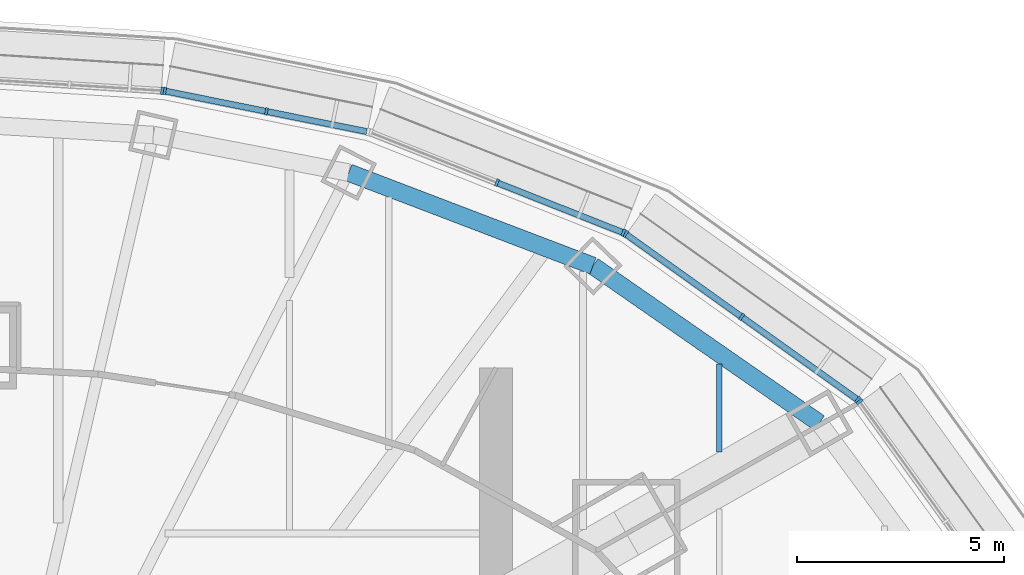
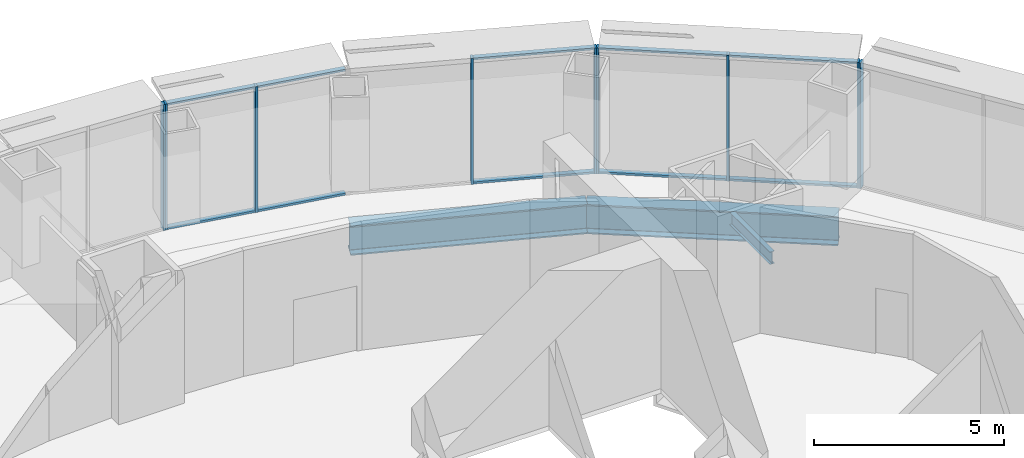
# One storey, part 8 of 17: 19 members, 3 beams, 5 elements without a shape of their own.
"""IFC4 building model written with IfcOpenShell, lengths in metres."""

import ifcopenshell
import ifcopenshell.guid

model = None  # the IFC model being written
_history = None  # IfcOwnerHistory: only IFC2X3 demands one
_inside = {}  # id of a spatial element -> (the spatial element, [elements in it])
_under = {}  # id of a project, library or spatial element -> (it, [spatial elements below it])
_declared = {}  # id of a project -> (the project, [libraries it declares])
_typed = {}  # id of a type object -> (the type object, [elements of that type])
_made_of = {}  # id of a material, layer set ... -> (it, [elements and type objects made of it])


def new_model(schema):
    """Start an empty IFC model of exactly this schema.

    Asked for "IFC4X3", IfcOpenShell would pick the latest addendum, in which some entities
    have other attributes; the version numbers below select the first issue.
    IFC2X3 requires an IfcOwnerHistory on every rooted entity: one is made here for all.
    """
    global model, _history
    if schema == "IFC4X3":
        model = ifcopenshell.file(schema_version=(4, 3, 0, 0))
    else:
        model = ifcopenshell.file(schema=schema)
    _inside.clear()
    _under.clear()
    _declared.clear()
    _typed.clear()
    _made_of.clear()
    _history = None
    if model.schema == "IFC2X3":
        org = make("IfcOrganization", Name="unknown")
        user = make(
            "IfcPersonAndOrganization",
            ThePerson=make("IfcPerson", FamilyName="unknown"),
            TheOrganization=org,
        )
        app = make(
            "IfcApplication",
            ApplicationDeveloper=org,
            Version="unknown",
            ApplicationFullName="unknown",
            ApplicationIdentifier="unknown",
        )
        _history = make(
            "IfcOwnerHistory",
            OwningUser=user,
            OwningApplication=app,
            ChangeAction="ADDED",
            CreationDate=0,
        )
    return model


def make(cls, **values):
    """One entity of the class cls with the attributes given. An attribute that is None is left unset."""
    return model.create_entity(
        cls, **{name: value for name, value in values.items() if value is not None}
    )


def rooted(cls, **values):
    """An entity with a GlobalId (a new one), such as an element, a storey or a relation."""
    return make(cls, GlobalId=ifcopenshell.guid.new(), OwnerHistory=_history, **values)


def si_unit(unit_type, name, prefix=None):
    """IfcSIUnit, for example si_unit("LENGTHUNIT", "METRE", prefix="MILLI")."""
    return make("IfcSIUnit", UnitType=unit_type, Prefix=prefix, Name=name)


def assignment(units):
    """IfcUnitAssignment: the units of a project."""
    return None if units is None else make("IfcUnitAssignment", Units=units)


def point(xyz):
    """IfcCartesianPoint."""
    return None if xyz is None else make("IfcCartesianPoint", Coordinates=xyz)


def direction(xyz):
    """IfcDirection."""
    return None if xyz is None else make("IfcDirection", DirectionRatios=xyz)


def frame(location, z_axis=None, x_axis=None):
    """IfcAxis2Placement3D, a coordinate frame: its origin and axes. An axis left out is left unset."""
    return make(
        "IfcAxis2Placement3D",
        Location=point(location),
        Axis=direction(z_axis),
        RefDirection=direction(x_axis),
    )


def frame_2d(location, x_axis=None):
    """IfcAxis2Placement2D, a coordinate frame in the plane: its origin and x axis."""
    return make(
        "IfcAxis2Placement2D", Location=point(location), RefDirection=direction(x_axis)
    )


def origin():
    """The frame at (0, 0, 0) with its axes left unset."""
    return frame((0.0, 0.0, 0.0))


def origin_2d():
    """The frame at (0, 0) in the plane with its x axis left unset."""
    return frame_2d((0.0, 0.0))


def place(relative_to, where):
    """IfcLocalPlacement: puts the frame where relative to a parent placement (None: the world)."""
    return make(
        "IfcLocalPlacement", PlacementRelTo=relative_to, RelativePlacement=where
    )


def context(
    kind, dimensions, precision=None, world=None, true_north=None, identifier=None
):
    """IfcGeometricRepresentationContext, for example the 3D "Model" context."""
    return make(
        "IfcGeometricRepresentationContext",
        ContextIdentifier=identifier,
        ContextType=kind,
        CoordinateSpaceDimension=dimensions,
        Precision=precision,
        WorldCoordinateSystem=world,
        TrueNorth=true_north,
    )


def subcontext(parent, identifier, kind, view, scale=None):
    """IfcGeometricRepresentationSubContext, for example "Body" below "Model"."""
    return make(
        "IfcGeometricRepresentationSubContext",
        ContextIdentifier=identifier,
        ContextType=kind,
        ParentContext=parent,
        TargetScale=scale,
        TargetView=view,
    )


def project(units=None, contexts=None):
    """IfcProject with its units and contexts."""
    return rooted(
        "IfcProject",
        Name="project",
        RepresentationContexts=contexts,
        UnitsInContext=assignment(units),
    )


def spatial(cls, under=None, at=None, **own):
    """A site, building, storey or space (cls), placed at a placement, below another one or the project."""
    s = rooted(cls, ObjectPlacement=at, **own)
    if under is not None:
        _under.setdefault(under.id(), (under, []))[1].append(s)
    return s


def profile(cls, at=None, kind="AREA", **sizes):
    """A parametric profile (cls). Its sizes go by their IFC names, for example OverallWidth=200.0."""
    return make(cls, ProfileType=kind, Position=at, **sizes)


def rectangle(**sizes):
    """IfcRectangleProfileDef."""
    return profile("IfcRectangleProfileDef", **sizes)


def i_section(**sizes):
    """IfcIShapeProfileDef."""
    return profile("IfcIShapeProfileDef", **sizes)


def extrude(swept, where, along, depth):
    """IfcExtrudedAreaSolid: the profile swept, set in the frame where, extruded along a direction by depth."""
    return make(
        "IfcExtrudedAreaSolid",
        SweptArea=swept,
        Position=where,
        ExtrudedDirection=direction(along),
        Depth=depth,
    )


def shape(context_of_items, identifier, shape_type, items):
    """IfcShapeRepresentation: the items that make up one representation, for example the "Body"."""
    return make(
        "IfcShapeRepresentation",
        ContextOfItems=context_of_items,
        RepresentationIdentifier=identifier,
        RepresentationType=shape_type,
        Items=items,
    )


def material(Name=None, Category=None):
    """IfcMaterial."""
    return make("IfcMaterial", Name=Name, Category=Category)


def material_profile(
    of_material, cross_section, Name=None, Category=None, Priority=None
):
    """IfcMaterialProfile: a cross section and its material."""
    return make(
        "IfcMaterialProfile",
        Name=Name,
        Material=of_material,
        Profile=cross_section,
        Priority=Priority,
        Category=Category,
    )


def profile_set(profiles, Name=None, composite=None):
    """IfcMaterialProfileSet."""
    return make(
        "IfcMaterialProfileSet",
        Name=Name,
        MaterialProfiles=profiles,
        CompositeProfile=composite,
    )


def made_of(thing, what):
    """Note that an element or type object is made of a material, layer set ...; save() writes the relation."""
    if what is not None:
        _made_of.setdefault(what.id(), (what, []))[1].append(thing)
    return thing


def type_object(cls, material=None, **own):
    """A type object (cls), such as IfcWallType, which elements share."""
    return made_of(rooted(cls, **own), material)


def element(
    cls,
    number,
    at=None,
    inside=None,
    cuts=None,
    type_object=None,
    material=None,
    context=None,
    identifier="Body",
    shape_type=None,
    held_by="IfcProductDefinitionShape",
    body=None,
    shapes=None,
    **own,
):
    """One element of the class cls, such as IfcWall. Its Tag is "e" and its number.

    at: its placement. inside: the storey or other place that contains it. cuts: it is an
    opening in that element (IfcRelVoidsElement). A single representation is given by context,
    identifier, shape_type and body (its items); several are given by shapes. held_by: the class
    of the entity that holds the representations. save() writes the other relations.
    """
    e = rooted(cls, Tag="e%d" % number, ObjectPlacement=at, **own)
    if body is not None:
        shapes = [shape(context, identifier, shape_type, body)]
    if shapes is not None:
        e.Representation = make(held_by, Representations=shapes)
    if inside is not None:
        _inside.setdefault(inside.id(), (inside, []))[1].append(e)
    if cuts is not None:
        rooted(
            "IfcRelVoidsElement", RelatingBuildingElement=cuts, RelatedOpeningElement=e
        )
    if type_object is not None:
        _typed.setdefault(type_object.id(), (type_object, []))[1].append(e)
    return made_of(e, material)


def aggregate(whole, parts):
    """IfcRelAggregates: a whole, such as a stair, and the parts it consists of."""
    return rooted("IfcRelAggregates", RelatingObject=whole, RelatedObjects=parts)


def save(model, path):
    """Write the relations noted so far, then the file.

    IfcRelAggregates (storeys below a building ...), IfcRelContainedInSpatialStructure (elements
    in a storey), IfcRelDefinesByType, IfcRelAssociatesMaterial and IfcRelDeclares: one each for
    every whole, place, type object, material and project.
    """
    for whole, parts in _under.values():
        aggregate(whole, parts)
    for where, things in _inside.values():
        rooted(
            "IfcRelContainedInSpatialStructure",
            RelatedElements=things,
            RelatingStructure=where,
        )
    for kind, things in _typed.values():
        rooted("IfcRelDefinesByType", RelatedObjects=things, RelatingType=kind)
    for what, things in _made_of.values():
        rooted("IfcRelAssociatesMaterial", RelatedObjects=things, RelatingMaterial=what)
    for by, libraries in _declared.values():
        rooted("IfcRelDeclares", RelatingContext=by, RelatedDefinitions=libraries)
    model.write(path)


model = new_model("IFC4")

# Units and contexts
model_context = context("Model", 3, precision=1e-05, world=origin(), true_north=direction((0.0, 1.0)))
body_context = subcontext(model_context, "Body", "Model", "MODEL_VIEW")
ifc_project = project(units=[si_unit("LENGTHUNIT", "METRE"), si_unit("AREAUNIT", "SQUARE_METRE"), si_unit("VOLUMEUNIT", "CUBIC_METRE"), si_unit("PLANEANGLEUNIT", "RADIAN"), si_unit("MASSUNIT", "GRAM", prefix="KILO")], contexts=[model_context])

# Site, building, storey
site_placement = place(None, origin())
site = spatial("IfcSite", under=ifc_project, at=site_placement, CompositionType="ELEMENT")
building_placement = place(site_placement, origin())
building = spatial("IfcBuilding", under=site, at=building_placement, Name="Lantaw Convention Tower", CompositionType="ELEMENT")
storey_placement = place(building_placement, frame((0.0, 0.0, 199.0)))
storey = spatial("IfcBuildingStorey", under=building, at=storey_placement, Name="L46", CompositionType="ELEMENT", Elevation=199.0)

# Beams
ifc_material_1 = material(Name="Steel ASTM A992", Category="steel")
ifc_material_profile_1 = material_profile(ifc_material_1, i_section(OverallWidth=0.424072265625, OverallDepth=0.947509765625, WebThickness=0.02392578125, FlangeThickness=0.042724609375, FilletRadius=0.012451171875, at=origin_2d()), Name="W36X302")
ifc_profile_set_1 = profile_set([ifc_material_profile_1], Name="Steel ASTM A992")
beam_type_1 = type_object("IfcBeamType", Name="Beam BC W36X302", PredefinedType="SPANDREL", material=ifc_profile_set_1)
beam_1_placement = place(storey_placement, frame((20.423095703125, 11.67041015625, -0.623779296875), z_axis=(-0.82135329406, 0.570419815869, 0.0), x_axis=(-0.570419815869, -0.82135329406, 0.0)))
element("IfcBeam", 1, at=beam_1_placement, inside=storey, type_object=beam_type_1, Name="Belt truss chord 3", PredefinedType="SPANDREL", context=body_context, shape_type="SweptSolid", body=[
    extrude(i_section(OverallWidth=0.424072265625, OverallDepth=0.947509765625, WebThickness=0.02392578125, FlangeThickness=0.042724609375, FilletRadius=0.012451171875, at=origin_2d()), origin(), (0.0, 0.0, 1.0), 6.67041015625),
])
beam_2_placement = place(storey_placement, frame((14.9443359375, 15.475341796875, -0.623779296875), z_axis=(-0.934234988, 0.356658081637, 0.0), x_axis=(-0.356658081637, -0.934234988, 0.0)))
element("IfcBeam", 2, at=beam_2_placement, inside=storey, type_object=beam_type_1, Name="Belt truss chord 4", PredefinedType="SPANDREL", context=body_context, shape_type="SweptSolid", body=[
    extrude(i_section(OverallWidth=0.424072265625, OverallDepth=0.947509765625, WebThickness=0.02392578125, FlangeThickness=0.042724609375, FilletRadius=0.012451171875, at=origin_2d()), origin(), (0.0, 0.0, 1.0), 6.32568359375),
])
ifc_material_profile_2 = material_profile(ifc_material_1, i_section(OverallWidth=0.140380859375, OverallDepth=0.40380859375, WebThickness=0.007080078125, FlangeThickness=0.01123046875, FilletRadius=0.01025390625, at=origin_2d()), Name="W16X31")
ifc_profile_set_2 = profile_set([ifc_material_profile_2], Name="Steel ASTM A992")
beam_type_2 = type_object("IfcBeamType", Name="Beam J W16X31", PredefinedType="JOIST", material=ifc_profile_set_2)
beam_3_placement = place(storey_placement, frame((18.0, 10.976806640625, -0.35205078125), z_axis=(0.0, 1.0, 0.0), x_axis=(-1.0, 0.0, 0.0)))
element("IfcBeam", 3, at=beam_3_placement, inside=storey, type_object=beam_type_2, Name="Floor joist", PredefinedType="JOIST", context=body_context, shape_type="SweptSolid", body=[
    extrude(i_section(OverallWidth=0.140380859375, OverallDepth=0.40380859375, WebThickness=0.007080078125, FlangeThickness=0.01123046875, FilletRadius=0.01025390625, at=origin_2d()), origin(), (0.0, 0.0, 1.0), 2.1181640625),
])

# Curtain wall, member
ifc_material_2 = material(Name="Aluminium framed curtain wall", Category="aluminium")
curtain_wall_type = type_object("IfcCurtainWallType", Name="Office curtain wall high rise, pale aluminium", PredefinedType="USERDEFINED", material=ifc_material_2)
curtain_wall_1_placement = place(storey_placement, origin())
curtain_wall_1 = element("IfcCurtainWall", 4, at=curtain_wall_1_placement, inside=storey, type_object=curtain_wall_type, Name="Office curtain wall high rise, pale aluminium L46", ObjectType="UNITISED CURTAIN WALL", PredefinedType="USERDEFINED")
ifc_material_3 = material(Name="Aluminium 6063-T6", Category="aluminium")
ifc_material_profile_3 = material_profile(ifc_material_3, rectangle(XDim=0.179931640625, YDim=0.06494140625, at=origin_2d()), Name="CW-O2 mullion 65x180")
ifc_profile_set_3 = profile_set([ifc_material_profile_3], Name="Aluminium 6063-T6")
member_type_1 = type_object("IfcMemberType", Name="CW-O2 mullion 65x180", PredefinedType="MULLION", material=ifc_profile_set_3)
member_1_placement = place(storey_placement, frame((21.397216796875, 12.189697265625, 0.0), z_axis=(0.0, 0.0, 1.0), x_axis=(-0.810919559405, -0.585157643865, 0.0)))
member_1 = element("IfcMember", 5, at=member_1_placement, type_object=member_type_1, Name="CW-O2 mullion 3", PredefinedType="MULLION", context=body_context, shape_type="SweptSolid", body=[
    extrude(rectangle(XDim=0.179931640625, YDim=0.06494140625, at=origin_2d()), origin(), (0.0, 0.0, 1.0), 4.050048828125),
])
aggregate(curtain_wall_1, [member_1])

# Curtain wall, members
curtain_wall_2_placement = place(storey_placement, origin())
curtain_wall_2 = element("IfcCurtainWall", 6, at=curtain_wall_2_placement, inside=storey, type_object=curtain_wall_type, Name="Office curtain wall high rise, pale aluminium L46", ObjectType="UNITISED CURTAIN WALL", PredefinedType="USERDEFINED")
member_2_placement = place(storey_placement, frame((21.3515625, 12.23486328125, 0.0), z_axis=(0.0, 0.0, 1.0), x_axis=(-0.581323487281, -0.813672540482, 0.0)))
member_2 = element("IfcMember", 7, at=member_2_placement, type_object=member_type_1, Name="CW-O2 mullion 1", PredefinedType="MULLION", context=body_context, shape_type="SweptSolid", body=[
    extrude(rectangle(XDim=0.179931640625, YDim=0.06494140625, at=origin_2d()), origin(), (0.0, 0.0, 1.0), 4.050048828125),
])
member_3_placement = place(storey_placement, frame((18.543212890625, 14.241455078125, 0.0), z_axis=(0.0, 0.0, 1.0), x_axis=(-0.581323487281, -0.813672540482, 0.0)))
member_3 = element("IfcMember", 8, at=member_3_placement, type_object=member_type_1, Name="CW-O2 mullion 2", PredefinedType="MULLION", context=body_context, shape_type="SweptSolid", body=[
    extrude(rectangle(XDim=0.179931640625, YDim=0.06494140625, at=origin_2d()), origin(), (0.0, 0.0, 1.0), 4.050048828125),
])
member_4_placement = place(storey_placement, frame((15.73486328125, 16.247802734375, 0.0), z_axis=(0.0, 0.0, 1.0), x_axis=(-0.581323487281, -0.813672540482, 0.0)))
member_4 = element("IfcMember", 9, at=member_4_placement, type_object=member_type_1, Name="CW-O2 mullion 3", PredefinedType="MULLION", context=body_context, shape_type="SweptSolid", body=[
    extrude(rectangle(XDim=0.179931640625, YDim=0.06494140625, at=origin_2d()), origin(), (0.0, 0.0, 1.0), 4.050048828125),
])

curtain_wall_3_placement = place(storey_placement, origin())
curtain_wall_3 = element("IfcCurtainWall", 10, at=curtain_wall_3_placement, inside=storey, type_object=curtain_wall_type, Name="Office curtain wall high rise, pale aluminium L46", ObjectType="UNITISED CURTAIN WALL", PredefinedType="USERDEFINED")
member_5_placement = place(storey_placement, frame((15.67822265625, 16.278564453125, 0.0), z_axis=(0.0, 0.0, 1.0), x_axis=(-0.368162315252, -0.929761533743, 0.0)))
member_5 = element("IfcMember", 11, at=member_5_placement, type_object=member_type_1, Name="CW-O2 mullion 1", PredefinedType="MULLION", context=body_context, shape_type="SweptSolid", body=[
    extrude(rectangle(XDim=0.179931640625, YDim=0.06494140625, at=origin_2d()), origin(), (0.0, 0.0, 1.0), 4.050048828125),
])
member_6_placement = place(storey_placement, frame((12.621337890625, 17.4892578125, 0.0), z_axis=(0.0, 0.0, 1.0), x_axis=(-0.368162315252, -0.929761533743, 0.0)))
member_6 = element("IfcMember", 12, at=member_6_placement, type_object=member_type_1, Name="CW-O2 mullion 2", PredefinedType="MULLION", context=body_context, shape_type="SweptSolid", body=[
    extrude(rectangle(XDim=0.179931640625, YDim=0.06494140625, at=origin_2d()), origin(), (0.0, 0.0, 1.0), 4.050048828125),
])

curtain_wall_4_placement = place(storey_placement, origin())
curtain_wall_4 = element("IfcCurtainWall", 13, at=curtain_wall_4_placement, inside=storey, type_object=curtain_wall_type, Name="Office curtain wall high rise, pale aluminium L46", ObjectType="UNITISED CURTAIN WALL", PredefinedType="USERDEFINED")
member_7_placement = place(storey_placement, frame((7.042724609375, 19.212646484375, 0.0), z_axis=(0.0, 0.0, 1.0), x_axis=(-0.197183095987, -0.980366679695, 0.0)))
member_7 = element("IfcMember", 14, at=member_7_placement, type_object=member_type_1, Name="CW-O2 mullion 2", PredefinedType="MULLION", context=body_context, shape_type="SweptSolid", body=[
    extrude(rectangle(XDim=0.179931640625, YDim=0.06494140625, at=origin_2d()), origin(), (0.0, 0.0, 1.0), 4.050048828125),
])
member_8_placement = place(storey_placement, frame((4.583251953125, 19.70751953125, 0.0), z_axis=(0.0, 0.0, 1.0), x_axis=(-0.197183095987, -0.980366679695, 0.0)))
member_8 = element("IfcMember", 15, at=member_8_placement, type_object=member_type_1, Name="CW-O2 mullion 3", PredefinedType="MULLION", context=body_context, shape_type="SweptSolid", body=[
    extrude(rectangle(XDim=0.179931640625, YDim=0.06494140625, at=origin_2d()), origin(), (0.0, 0.0, 1.0), 4.050048828125),
])

# Curtain wall, member
curtain_wall_5_placement = place(storey_placement, origin())
curtain_wall_5 = element("IfcCurtainWall", 16, at=curtain_wall_5_placement, inside=storey, type_object=curtain_wall_type, Name="Office curtain wall high rise, pale aluminium L46", ObjectType="UNITISED CURTAIN WALL", PredefinedType="USERDEFINED")
member_9_placement = place(storey_placement, frame((4.518798828125, 19.7158203125, 0.0), z_axis=(0.0, 0.0, 1.0), x_axis=(-0.062757983884, -0.998028774865, 0.0)))
member_9 = element("IfcMember", 17, at=member_9_placement, type_object=member_type_1, Name="CW-O2 mullion 1", PredefinedType="MULLION", context=body_context, shape_type="SweptSolid", body=[
    extrude(rectangle(XDim=0.179931640625, YDim=0.06494140625, at=origin_2d()), origin(), (0.0, 0.0, 1.0), 4.050048828125),
])
aggregate(curtain_wall_5, [member_9])

# Member
ifc_material_profile_4 = material_profile(ifc_material_3, rectangle(XDim=0.14990234375, YDim=0.06494140625, at=origin_2d()), Name="CW-O2 transom 65x150")
ifc_profile_set_4 = profile_set([ifc_material_profile_4], Name="Aluminium 6063-T6")
member_type_2 = type_object("IfcMemberType", Name="CW-O2 transom 65x150", PredefinedType="USERDEFINED", material=ifc_profile_set_4)
member_10_placement = place(storey_placement, frame((21.3251953125, 12.25390625, 0.032470703125), z_axis=(-0.813679882592, 0.581313210468, 0.0), x_axis=(-0.581313210468, -0.813679882592, 0.0)))
member_10 = element("IfcMember", 18, at=member_10_placement, type_object=member_type_2, Name="CW-O2 transom 1.1", ObjectType="TRANSOM", PredefinedType="USERDEFINED", context=body_context, shape_type="SweptSolid", body=[
    extrude(rectangle(XDim=0.14990234375, YDim=0.06494140625, at=origin_2d()), origin(), (0.0, 0.0, 1.0), 3.38623046875),
])

member_11_placement = place(storey_placement, frame((21.3251953125, 12.25390625, 4.017578125), z_axis=(-0.813679882592, 0.581313210468, 0.0), x_axis=(-0.581313210468, -0.813679882592, 0.0)))
member_11 = element("IfcMember", 19, at=member_11_placement, type_object=member_type_2, Name="CW-O2 transom 1.2", ObjectType="TRANSOM", PredefinedType="USERDEFINED", context=body_context, shape_type="SweptSolid", body=[
    extrude(rectangle(XDim=0.14990234375, YDim=0.06494140625, at=origin_2d()), origin(), (0.0, 0.0, 1.0), 3.38623046875),
])

member_12_placement = place(storey_placement, frame((18.516845703125, 14.26025390625, 0.032470703125), z_axis=(-0.813645780821, 0.581360940683, 0.0), x_axis=(-0.581360940683, -0.813645780821, 0.0)))
member_12 = element("IfcMember", 20, at=member_12_placement, type_object=member_type_2, Name="CW-O2 transom 2.1", ObjectType="TRANSOM", PredefinedType="USERDEFINED", context=body_context, shape_type="SweptSolid", body=[
    extrude(rectangle(XDim=0.14990234375, YDim=0.06494140625, at=origin_2d()), origin(), (0.0, 0.0, 1.0), 3.386474609375),
])

member_13_placement = place(storey_placement, frame((18.516845703125, 14.26025390625, 4.017578125), z_axis=(-0.813645780821, 0.581360940683, 0.0), x_axis=(-0.581360940683, -0.813645780821, 0.0)))
member_13 = element("IfcMember", 21, at=member_13_placement, type_object=member_type_2, Name="CW-O2 transom 2.2", ObjectType="TRANSOM", PredefinedType="USERDEFINED", context=body_context, shape_type="SweptSolid", body=[
    extrude(rectangle(XDim=0.14990234375, YDim=0.06494140625, at=origin_2d()), origin(), (0.0, 0.0, 1.0), 3.386474609375),
])

aggregate(curtain_wall_2, [member_2, member_3, member_4, member_10, member_11, member_12, member_13])

member_14_placement = place(storey_placement, frame((15.648193359375, 16.29052734375, 0.032470703125), z_axis=(-0.929740712354, 0.368214893495, 0.0), x_axis=(-0.368214893495, -0.929740712354, 0.0)))
member_14 = element("IfcMember", 22, at=member_14_placement, type_object=member_type_2, Name="CW-O2 transom 1.1", ObjectType="TRANSOM", PredefinedType="USERDEFINED", context=body_context, shape_type="SweptSolid", body=[
    extrude(rectangle(XDim=0.14990234375, YDim=0.06494140625, at=origin_2d()), origin(), (0.0, 0.0, 1.0), 3.22314453125),
])

member_15_placement = place(storey_placement, frame((15.648193359375, 16.29052734375, 4.017578125), z_axis=(-0.929740712354, 0.368214893495, 0.0), x_axis=(-0.368214893495, -0.929740712354, 0.0)))
member_15 = element("IfcMember", 23, at=member_15_placement, type_object=member_type_2, Name="CW-O2 transom 1.2", ObjectType="TRANSOM", PredefinedType="USERDEFINED", context=body_context, shape_type="SweptSolid", body=[
    extrude(rectangle(XDim=0.14990234375, YDim=0.06494140625, at=origin_2d()), origin(), (0.0, 0.0, 1.0), 3.22314453125),
])

aggregate(curtain_wall_3, [member_5, member_6, member_14, member_15])

member_16_placement = place(storey_placement, frame((9.47021484375, 18.724365234375, 0.032470703125), z_axis=(-0.98036104319, 0.197211117829, 0.0), x_axis=(-0.197211117829, -0.98036104319, 0.0)))
member_16 = element("IfcMember", 24, at=member_16_placement, type_object=member_type_2, Name="CW-O2 transom 1.1", ObjectType="TRANSOM", PredefinedType="USERDEFINED", context=body_context, shape_type="SweptSolid", body=[
    extrude(rectangle(XDim=0.14990234375, YDim=0.06494140625, at=origin_2d()), origin(), (0.0, 0.0, 1.0), 2.44384765625),
])

member_17_placement = place(storey_placement, frame((9.47021484375, 18.724365234375, 4.017578125), z_axis=(-0.98036104319, 0.197211117829, 0.0), x_axis=(-0.197211117829, -0.98036104319, 0.0)))
member_17 = element("IfcMember", 25, at=member_17_placement, type_object=member_type_2, Name="CW-O2 transom 1.2", ObjectType="TRANSOM", PredefinedType="USERDEFINED", context=body_context, shape_type="SweptSolid", body=[
    extrude(rectangle(XDim=0.14990234375, YDim=0.06494140625, at=origin_2d()), origin(), (0.0, 0.0, 1.0), 2.44384765625),
])

member_18_placement = place(storey_placement, frame((7.0107421875, 19.21923828125, 0.032470703125), z_axis=(-0.980380354178, 0.197115096178, 0.0), x_axis=(-0.197115096178, -0.980380354178, 0.0)))
member_18 = element("IfcMember", 26, at=member_18_placement, type_object=member_type_2, Name="CW-O2 transom 2.1", ObjectType="TRANSOM", PredefinedType="USERDEFINED", context=body_context, shape_type="SweptSolid", body=[
    extrude(rectangle(XDim=0.14990234375, YDim=0.06494140625, at=origin_2d()), origin(), (0.0, 0.0, 1.0), 2.443603515625),
])

member_19_placement = place(storey_placement, frame((7.0107421875, 19.21923828125, 4.017578125), z_axis=(-0.980380354178, 0.197115096178, 0.0), x_axis=(-0.197115096178, -0.980380354178, 0.0)))
member_19 = element("IfcMember", 27, at=member_19_placement, type_object=member_type_2, Name="CW-O2 transom 2.2", ObjectType="TRANSOM", PredefinedType="USERDEFINED", context=body_context, shape_type="SweptSolid", body=[
    extrude(rectangle(XDim=0.14990234375, YDim=0.06494140625, at=origin_2d()), origin(), (0.0, 0.0, 1.0), 2.443603515625),
])

aggregate(curtain_wall_4, [member_7, member_8, member_16, member_17, member_18, member_19])

save(model, "model.ifc")
